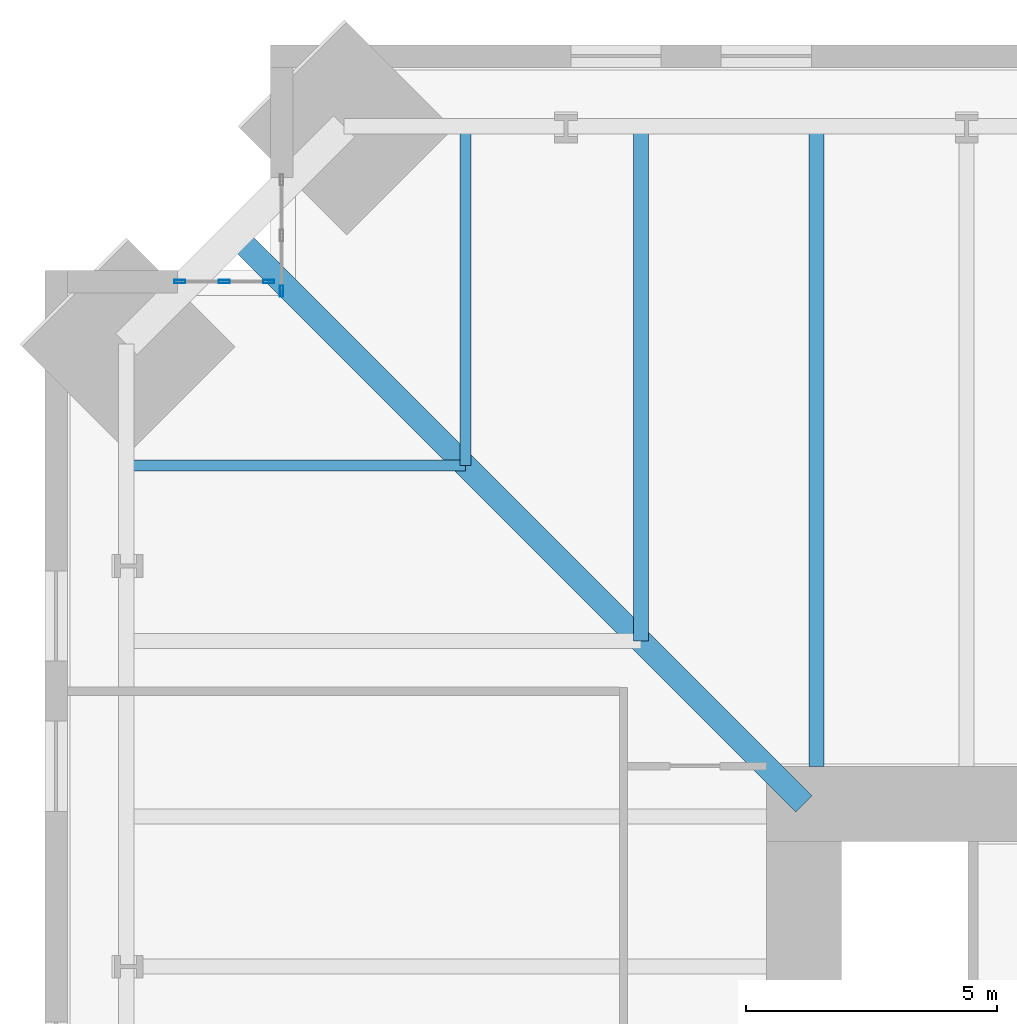
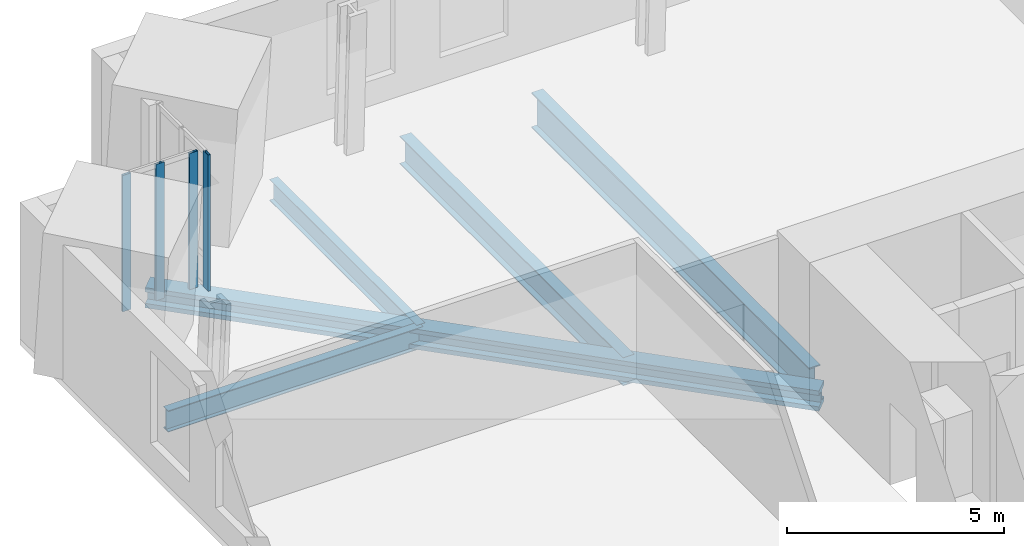
# One storey, part 6 of 18: 5 beams, 4 members, 2 elements without a shape of their own.
"""IFC4 building model written with IfcOpenShell, lengths in metres."""

from ifc_helpers import new_model, si_unit, direction, frame, origin, origin_2d, place, context, subcontext, project, spatial, hollow_rectangle, i_section, extrude, material, material_profile, profile_set, type_object, element, aggregate, save


model = new_model("IFC4")

# Units and contexts
model_context = context("Model", 3, precision=1e-05, world=origin(), true_north=direction((0.0, 1.0)))
body_context = subcontext(model_context, "Body", "Model", "MODEL_VIEW")
ifc_project = project(units=[si_unit("LENGTHUNIT", "METRE"), si_unit("AREAUNIT", "SQUARE_METRE"), si_unit("VOLUMEUNIT", "CUBIC_METRE"), si_unit("PLANEANGLEUNIT", "RADIAN"), si_unit("MASSUNIT", "GRAM", prefix="KILO")], contexts=[model_context])

# Site, building, storey
site_placement = place(None, origin())
site = spatial("IfcSite", under=ifc_project, at=site_placement, CompositionType="ELEMENT")
building_placement = place(site_placement, origin())
building = spatial("IfcBuilding", under=site, at=building_placement, Name="Peilmerk Tower", CompositionType="ELEMENT")
storey_placement = place(building_placement, frame((0.0, 0.0, 151.800048828125)))
storey = spatial("IfcBuildingStorey", under=building, at=storey_placement, Name="L31", CompositionType="ELEMENT", Elevation=151.800048828125)

# Beams
ifc_material_1 = material(Name="Steel S355", Category="steel")
ifc_material_profile_1 = material_profile(ifc_material_1, i_section(OverallWidth=0.219970703125, OverallDepth=0.60009765625, WebThickness=0.011962890625, FlangeThickness=0.01904296875, at=origin_2d()), Name="IPE 600")
ifc_profile_set_1 = profile_set([ifc_material_profile_1], Name="Steel S355")
beam_type_1 = type_object("IfcBeamType", Name="B10 IPE 600 floor beam", PredefinedType="BEAM", material=ifc_profile_set_1)
for number, where, z_axis, x_axis, name in (
    (1, (-18.0, 18.0, -0.469970703125), (0.0, 1.0, 0.0), (-1.0, 0.0, 0.0), "Floor beam L31"),
    (2, (-18.0, 18.0, -0.469970703125), (-1.0, 0.0, 0.0), (0.0, -1.0, 0.0), "Floor beam L31"),
):
    element("IfcBeam", number, at=place(storey_placement, frame(where, z_axis=z_axis, x_axis=x_axis)), inside=storey, type_object=beam_type_1, Name=name, PredefinedType="BEAM", context=body_context, shape_type="SweptSolid", body=[
        extrude(i_section(OverallWidth=0.219970703125, OverallDepth=0.60009765625, WebThickness=0.011962890625, FlangeThickness=0.01904296875, at=origin_2d()), origin(), (0.0, 0.0, 1.0), 6.77587890625),
    ])
ifc_material_profile_2 = material_profile(ifc_material_1, i_section(OverallWidth=0.300048828125, OverallDepth=0.989990234375, WebThickness=0.0166015625, FlangeThickness=0.031005859375, at=origin_2d()), Name="HEA 1000")
ifc_profile_set_2 = profile_set([ifc_material_profile_2], Name="Steel S355")
beam_type_2 = type_object("IfcBeamType", Name="B14 HEA 1000 floor girder", PredefinedType="BEAM", material=ifc_profile_set_2)
beam_1_placement = place(storey_placement, frame((-11.0, 12.0, -0.6650390625), z_axis=(0.0, 1.0, 0.0), x_axis=(-1.0, 0.0, 0.0)))
element("IfcBeam", 3, at=beam_1_placement, inside=storey, type_object=beam_type_2, Name="Floor beam L31", PredefinedType="BEAM", context=body_context, shape_type="SweptSolid", body=[
    extrude(i_section(OverallWidth=0.300048828125, OverallDepth=0.989990234375, WebThickness=0.0166015625, FlangeThickness=0.031005859375, at=origin_2d()), origin(), (0.0, 0.0, 1.0), 12.77587890625),
])
ifc_material_profile_3 = material_profile(ifc_material_1, i_section(OverallWidth=0.300048828125, OverallDepth=0.7900390625, WebThickness=0.014892578125, FlangeThickness=0.028076171875, at=origin_2d()), Name="HEA 800")
ifc_profile_set_3 = profile_set([ifc_material_profile_3], Name="Steel S355")
beam_type_3 = type_object("IfcBeamType", Name="B3 HEA 800 floor beam", PredefinedType="BEAM", material=ifc_profile_set_3)
beam_2_placement = place(storey_placement, frame((-14.5, 14.5, -0.56494140625), z_axis=(0.0, 1.0, 0.0), x_axis=(-1.0, 0.0, 0.0)))
element("IfcBeam", 4, at=beam_2_placement, inside=storey, type_object=beam_type_3, Name="Floor beam L31", PredefinedType="BEAM", context=body_context, shape_type="SweptSolid", body=[
    extrude(i_section(OverallWidth=0.300048828125, OverallDepth=0.7900390625, WebThickness=0.014892578125, FlangeThickness=0.028076171875, at=origin_2d()), origin(), (0.0, 0.0, 1.0), 10.27587890625),
])
ifc_material_2 = material(Name="Steel S460", Category="steel")
ifc_material_profile_4 = material_profile(ifc_material_2, i_section(OverallWidth=0.4541015625, OverallDepth=0.569091796875, WebThickness=0.077880859375, FlangeThickness=0.125, at=origin_2d()), Name="HD 400x1086")
ifc_profile_set_4 = profile_set([ifc_material_profile_4], Name="Steel S460")
beam_type_4 = type_object("IfcBeamType", Name="B9 HD 400x1086 corner girder", PredefinedType="BEAM", material=ifc_profile_set_4)
beam_3_placement = place(storey_placement, frame((-11.25, 11.25, -0.45458984375), z_axis=(-0.707106781187, 0.707106781187, 0.0), x_axis=(-0.707106781187, -0.707106781187, 0.0)))
element("IfcBeam", 5, at=beam_3_placement, inside=storey, type_object=beam_type_4, Name="Corner girder L31", PredefinedType="BEAM", context=body_context, shape_type="SweptSolid", body=[
    extrude(i_section(OverallWidth=0.4541015625, OverallDepth=0.569091796875, WebThickness=0.077880859375, FlangeThickness=0.125, at=origin_2d()), origin(), (0.0, 0.0, 1.0), 16.052490234375),
])

# Curtain wall, member
ifc_material_3 = material(Name="Aluminium stick curtain wall", Category="aluminium")
curtain_wall_type = type_object("IfcCurtainWallType", Name="CW3 stick curtain wall, 2250 module", PredefinedType="NOTDEFINED", material=ifc_material_3)
curtain_wall_1_placement = place(storey_placement, origin())
curtain_wall_1 = element("IfcCurtainWall", 6, at=curtain_wall_1_placement, inside=storey, type_object=curtain_wall_type, Name="Curtain wall CW3 NWA L31", PredefinedType="NOTDEFINED")
ifc_material_4 = material(Name="Aluminium EN AW-6063 T6", Category="aluminium")
ifc_material_profile_5 = material_profile(ifc_material_4, hollow_rectangle(XDim=0.06494140625, YDim=0.22509765625, WallThickness=0.00390625, at=origin_2d()), Name="AL 225x65x4")
ifc_profile_set_5 = profile_set([ifc_material_profile_5], Name="Aluminium EN AW-6063 T6")
member_type = type_object("IfcMemberType", Name="CW3-M AL 225x65x4 mullion", PredefinedType="MULLION", material=ifc_profile_set_5)
member_1_placement = place(storey_placement, frame((-21.675048828125, 21.482421875, 0.0), z_axis=(0.0, 0.0, 1.0), x_axis=(-1.0, 0.0, 0.0)))
member_1 = element("IfcMember", 7, at=member_1_placement, type_object=member_type, Name="CW3 mullion 1", PredefinedType="MULLION", context=body_context, shape_type="SweptSolid", body=[
    extrude(hollow_rectangle(XDim=0.06494140625, YDim=0.22509765625, WallThickness=0.00390625, at=origin_2d()), origin(), (0.0, 0.0, 1.0), 3.829833984375),
])
aggregate(curtain_wall_1, [member_1])

# Curtain wall, members
curtain_wall_2_placement = place(storey_placement, origin())
curtain_wall_2 = element("IfcCurtainWall", 8, at=curtain_wall_2_placement, inside=storey, type_object=curtain_wall_type, Name="Curtain wall CW3 NWB L31", PredefinedType="NOTDEFINED")
member_2_placement = place(storey_placement, frame((-21.9326171875, 21.675048828125, 0.0), z_axis=(0.0, 0.0, 1.0), x_axis=(0.0, -1.0, 0.0)))
member_2 = element("IfcMember", 9, at=member_2_placement, type_object=member_type, Name="CW3 mullion 1", PredefinedType="MULLION", context=body_context, shape_type="SweptSolid", body=[
    extrude(hollow_rectangle(XDim=0.06494140625, YDim=0.22509765625, WallThickness=0.00390625, at=origin_2d()), origin(), (0.0, 0.0, 1.0), 3.829833984375),
])
member_3_placement = place(storey_placement, frame((-22.8193359375, 21.675048828125, 0.0), z_axis=(0.0, 0.0, 1.0), x_axis=(0.0, -1.0, 0.0)))
member_3 = element("IfcMember", 10, at=member_3_placement, type_object=member_type, Name="CW3 mullion 2", PredefinedType="MULLION", context=body_context, shape_type="SweptSolid", body=[
    extrude(hollow_rectangle(XDim=0.06494140625, YDim=0.22509765625, WallThickness=0.00390625, at=origin_2d()), origin(), (0.0, 0.0, 1.0), 3.829833984375),
])
member_4_placement = place(storey_placement, frame((-23.706298828125, 21.675048828125, 0.0), z_axis=(0.0, 0.0, 1.0), x_axis=(0.0, -1.0, 0.0)))
member_4 = element("IfcMember", 11, at=member_4_placement, type_object=member_type, Name="CW3 mullion 3", PredefinedType="MULLION", context=body_context, shape_type="SweptSolid", body=[
    extrude(hollow_rectangle(XDim=0.06494140625, YDim=0.22509765625, WallThickness=0.00390625, at=origin_2d()), origin(), (0.0, 0.0, 1.0), 3.829833984375),
])
aggregate(curtain_wall_2, [member_2, member_3, member_4])

save(model, "model.ifc")
